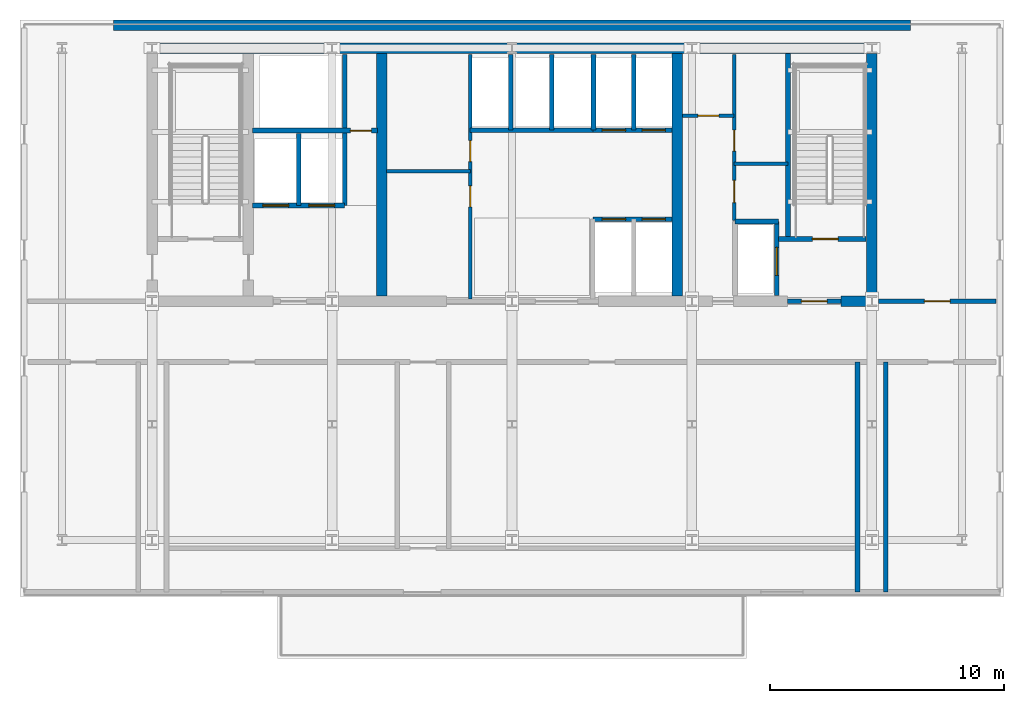
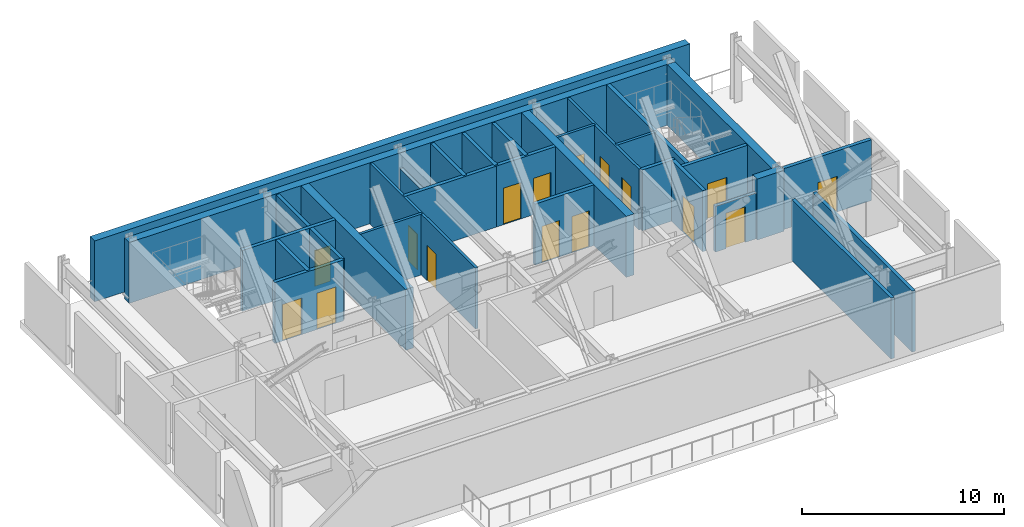
# One storey, part 3 of 8: 30 walls, 16 doors, 16 openings.
"""IFC4 building model written with IfcOpenShell, lengths in metres."""

from ifc_helpers import new_model, si_unit, direction, frame, frame_2d, origin, place, context, subcontext, project, spatial, rectangle, extrude, material, layer, layer_set, type_object, element, fill, save


model = new_model("IFC4")

# Units and contexts
model_context = context("Model", 3, precision=1e-05, world=origin(), true_north=direction((0.0, 1.0)))
body_context = subcontext(model_context, "Body", "Model", "MODEL_VIEW")
ifc_project = project(units=[si_unit("LENGTHUNIT", "METRE"), si_unit("AREAUNIT", "SQUARE_METRE"), si_unit("VOLUMEUNIT", "CUBIC_METRE"), si_unit("PLANEANGLEUNIT", "RADIAN"), si_unit("MASSUNIT", "GRAM", prefix="KILO")], contexts=[model_context])

# Site, building, storey
site_placement = place(None, origin())
site = spatial("IfcSite", under=ifc_project, at=site_placement, CompositionType="ELEMENT")
building_placement = place(site_placement, origin())
building = spatial("IfcBuilding", under=site, at=building_placement, Name="Yelkora Congress Tower", CompositionType="ELEMENT")
storey_placement = place(building_placement, frame((0.0, 0.0, 137.300048828125)))
storey = spatial("IfcBuildingStorey", under=building, at=storey_placement, Name="L37", CompositionType="ELEMENT", Elevation=137.300048828125)

# Walls
ifc_material_1 = material(Name="Concrete C60/75", Category="concrete")
ifc_layer_1 = layer(ifc_material_1, 0.449951171875)
ifc_layer_set_1 = layer_set([ifc_layer_1], Name="Concrete C60/75")
wall_type_1 = type_object("IfcWallType", Name="WALL-CORE-EXT-450", PredefinedType="SHEAR", material=ifc_layer_set_1)
wall_1_placement = place(storey_placement, frame((21.39990234375, 47.175048828125, 0.0), z_axis=(0.0, 0.0, 1.0), x_axis=(1.0, 0.0, 0.0)))
element("IfcWall", 1, at=wall_1_placement, inside=storey, type_object=wall_type_1, Name="L37 Exterior North Core Shear Wall", PredefinedType="SHEAR", context=body_context, shape_type="SweptSolid", body=[
    extrude(rectangle(XDim=34.0, YDim=0.449951171875, at=frame_2d((17.0, 0.0))), origin(), (0.0, 0.0, 1.0), 3.679931640625),
])
ifc_material_2 = material(Name="Concrete C50/60", Category="concrete")
ifc_layer_2 = layer(ifc_material_2, 0.219970703125)
ifc_layer_set_2 = layer_set([ifc_layer_2], Name="Concrete C50/60")
wall_type_2 = type_object("IfcWallType", Name="WALL-CORE-INT-220", PredefinedType="SHEAR", material=ifc_layer_set_2)
wall_2_placement = place(storey_placement, frame((50.179931640625, 38.050048828125, 0.0), z_axis=(0.0, 0.0, 1.0), x_axis=(0.0, 1.0, 0.0)))
element("IfcWall", 2, at=wall_2_placement, inside=storey, type_object=wall_type_2, Name="L37 ST02 West Stair Shear Wall", PredefinedType="SHEAR", context=body_context, shape_type="SweptSolid", body=[
    extrude(rectangle(XDim=7.925048828125, YDim=0.219970703125, at=frame_2d((3.96240234375, 0.0))), origin(), (0.0, 0.0, 1.0), 3.679931640625),
])
ifc_layer_3 = layer(ifc_material_1, 0.449951171875)
ifc_layer_set_3 = layer_set([ifc_layer_3], Name="Concrete C60/75")
wall_type_3 = type_object("IfcWallType", Name="WALL-CORE-INT-450", PredefinedType="SHEAR", material=ifc_layer_set_3)
wall_3_placement = place(storey_placement, frame((22.81494140625, 46.199951171875, 0.0), z_axis=(0.0, 0.0, 1.0), x_axis=(1.0, 0.0, 0.0)))
element("IfcWall", 3, at=wall_3_placement, inside=storey, type_object=wall_type_3, Name="L37 Rear Core North Shear Wall", PredefinedType="SHEAR", context=body_context, shape_type="SweptSolid", body=[
    extrude(rectangle(XDim=31.170166015625, YDim=0.449951171875, at=frame_2d((15.5849609375, 0.0))), origin(), (0.0, 0.0, 1.0), 3.679931640625),
])
wall_4_placement = place(storey_placement, frame((52.449951171875, 35.39990234375, 0.0), z_axis=(0.0, 0.0, 1.0), x_axis=(1.0, 0.0, 0.0)))
element("IfcWall", 4, at=wall_4_placement, inside=storey, type_object=wall_type_3, Name="L37 Rear Core South-East Shear Wall B", PredefinedType="SHEAR", context=body_context, shape_type="SweptSolid", body=[
    extrude(rectangle(XDim=1.53515625, YDim=0.449951171875, at=frame_2d((0.767578125, 0.0))), origin(), (0.0, 0.0, 1.0), 3.679931640625),
])
for number, where, z_axis, x_axis, name in (
    (5, (32.85009765625, 35.625, 0.0), (0.0, 0.0, 1.0), (0.0, 1.0, 0.0), "L37 Rear Core Cross Shear Wall C2"),
    (6, (45.449951171875, 35.625, 0.0), (0.0, 0.0, 1.0), (0.0, 1.0, 0.0), "L37 Rear Core Cross Shear Wall C3"),
    (7, (53.760009765625, 35.625, 0.0), (0.0, 0.0, 1.0), (0.0, 1.0, 0.0), "L37 Rear Core Cross Shear Wall E"),
):
    element("IfcWall", number, at=place(storey_placement, frame(where, z_axis=z_axis, x_axis=x_axis)), inside=storey, type_object=wall_type_3, Name=name, PredefinedType="SHEAR", context=body_context, shape_type="SweptSolid", body=[
        extrude(rectangle(XDim=10.35009765625, YDim=0.449951171875, at=frame_2d((5.175048828125, 0.0))), origin(), (0.0, 0.0, 1.0), 3.679931640625),
    ])

# Wall, opening, door
ifc_material_3 = material(Name="Acoustic metal-stud gypsum partition", Category="gypsum")
ifc_layer_4 = layer(ifc_material_3, 0.14990234375)
ifc_layer_set_4 = layer_set([ifc_layer_4], Name="Acoustic metal-stud gypsum partition")
wall_type_4 = type_object("IfcWallType", Name="WALL-INT-150-NR", PredefinedType="PARTITIONING", material=ifc_layer_set_4)
wall_5_placement = place(storey_placement, frame((45.679931640625, 43.31005859375, 0.0), z_axis=(0.0, 0.0, 1.0), x_axis=(1.0, 0.0, 0.0)))
wall_5 = element("IfcWall", 8, at=wall_5_placement, inside=storey, type_object=wall_type_4, Name="L37 Partition Wall 24", PredefinedType="PARTITIONING", context=body_context, shape_type="SweptSolid", body=[
    extrude(rectangle(XDim=2.199951171875, YDim=0.14990234375, at=frame_2d((1.10009765625, 0.0))), origin(), (0.0, 0.0, 1.0), 3.679931640625),
])
opening_1_placement = place(wall_5_placement, frame((0.64990234375, 0.0, 0.0)))
opening_1 = element("IfcOpeningElement", 9, at=opening_1_placement, cuts=wall_5, Name="Opening DR-090N", PredefinedType="OPENING", context=body_context, shape_type="SweptSolid", body=[
    extrude(rectangle(XDim=0.89990234375, YDim=2.14990234375, at=frame_2d((0.449951171875, 1.074951171875))), frame((0.0, 0.0849609375, 0.0), z_axis=(0.0, -1.0, 0.0), x_axis=(1.0, 0.0, 0.0)), (0.0, 0.0, 1.0), 0.169921875),
])
ifc_material_4 = material(Name="Moisture-resistant laminate door leaf", Category="wood")
door_type_1 = type_object("IfcDoorType", Name="DOOR-INT-900", OperationType="NOTDEFINED", PredefinedType="DOOR", material=ifc_material_4)
door_1_placement = place(opening_1_placement, origin())
door_1 = element("IfcDoor", 10, at=door_1_placement, inside=storey, type_object=door_type_1, Name="L37 Male WC Door", OperationType="SINGLE_SWING_RIGHT", OverallHeight=2.14990234375, OverallWidth=0.89990234375, PredefinedType="DOOR", context=body_context, shape_type="SweptSolid", body=[
    extrude(rectangle(XDim=0.89990234375, YDim=2.14990234375, at=frame_2d((0.449951171875, 1.074951171875))), frame((0.0, 0.02490234375, 0.0), z_axis=(0.0, -1.0, 0.0), x_axis=(1.0, 0.0, 0.0)), (0.0, 0.0, 1.0), 0.050048828125),
])
fill(opening_1, door_1)

# Wall
wall_6_placement = place(storey_placement, frame((47.8798828125, 41.260009765625, 0.0), z_axis=(0.0, 0.0, 1.0), x_axis=(1.0, 0.0, 0.0)))
element("IfcWall", 11, at=wall_6_placement, inside=storey, type_object=wall_type_4, Name="L37 Partition Wall 25", PredefinedType="PARTITIONING", context=body_context, shape_type="SweptSolid", body=[
    extrude(rectangle(XDim=2.300048828125, YDim=0.14990234375, at=frame_2d((1.14990234375, 0.0))), origin(), (0.0, 0.0, 1.0), 3.679931640625),
])

# Wall, openings, doors
wall_7_placement = place(storey_placement, frame((47.8798828125, 38.85009765625, 0.0), z_axis=(0.0, 0.0, 1.0), x_axis=(0.0, 1.0, 0.0)))
wall_7 = element("IfcWall", 12, at=wall_7_placement, inside=storey, type_object=wall_type_4, Name="L37 Partition Wall 26", PredefinedType="PARTITIONING", context=body_context, shape_type="SweptSolid", body=[
    extrude(rectangle(XDim=7.06982421875, YDim=0.14990234375, at=frame_2d((3.534912109375, 0.0))), origin(), (0.0, 0.0, 1.0), 3.679931640625),
])
opening_2_placement = place(wall_7_placement, frame((0.75, 0.0, 0.0)))
opening_2 = element("IfcOpeningElement", 13, at=opening_2_placement, cuts=wall_7, Name="Opening DR-095N", PredefinedType="OPENING", context=body_context, shape_type="SweptSolid", body=[
    extrude(rectangle(XDim=0.949951171875, YDim=2.14990234375, at=frame_2d((0.47509765625, 1.074951171875))), frame((0.0, 0.0849609375, 0.0), z_axis=(0.0, -1.0, 0.0), x_axis=(1.0, 0.0, 0.0)), (0.0, 0.0, 1.0), 0.169921875),
])
opening_3_placement = place(wall_7_placement, frame((2.949951171875, 0.0, 0.0)))
opening_3 = element("IfcOpeningElement", 14, at=opening_3_placement, cuts=wall_7, Name="Opening DR-090N", PredefinedType="OPENING", context=body_context, shape_type="SweptSolid", body=[
    extrude(rectangle(XDim=0.89990234375, YDim=2.14990234375, at=frame_2d((0.449951171875, 1.074951171875))), frame((0.0, 0.0849609375, 0.0), z_axis=(0.0, -1.0, 0.0), x_axis=(1.0, 0.0, 0.0)), (0.0, 0.0, 1.0), 0.169921875),
])
door_2_placement = place(opening_3_placement, origin())
door_2 = element("IfcDoor", 15, at=door_2_placement, inside=storey, type_object=door_type_1, Name="L37 Female WC Door", OperationType="SINGLE_SWING_RIGHT", OverallHeight=2.14990234375, OverallWidth=0.89990234375, PredefinedType="DOOR", context=body_context, shape_type="SweptSolid", body=[
    extrude(rectangle(XDim=0.89990234375, YDim=2.14990234375, at=frame_2d((0.449951171875, 1.074951171875))), frame((0.0, 0.02490234375, 0.0), z_axis=(0.0, -1.0, 0.0), x_axis=(1.0, 0.0, 0.0)), (0.0, 0.0, 1.0), 0.050048828125),
])
fill(opening_3, door_2)
ifc_material_5 = material(Name="Acoustic laminated timber office door", Category="wood")
door_type_2 = type_object("IfcDoorType", Name="DOOR-INT-950", OperationType="NOTDEFINED", PredefinedType="DOOR", material=ifc_material_5)
door_3_placement = place(opening_2_placement, origin())
door_3 = element("IfcDoor", 16, at=door_3_placement, inside=storey, type_object=door_type_2, Name="L37 Accessible WC Door", OperationType="SINGLE_SWING_LEFT", OverallHeight=2.14990234375, OverallWidth=0.949951171875, PredefinedType="DOOR", context=body_context, shape_type="SweptSolid", body=[
    extrude(rectangle(XDim=0.949951171875, YDim=2.14990234375, at=frame_2d((0.47509765625, 1.074951171875))), frame((0.0, 0.02490234375, 0.0), z_axis=(0.0, -1.0, 0.0), x_axis=(1.0, 0.0, 0.0)), (0.0, 0.0, 1.0), 0.050048828125),
])
fill(opening_2, door_3)

# Wall
ifc_material_6 = material(Name="Twin-stud fire-rated gypsum partition", Category="gypsum")
ifc_layer_5 = layer(ifc_material_6, 0.14990234375)
ifc_layer_set_5 = layer_set([ifc_layer_5], Name="Twin-stud fire-rated gypsum partition")
wall_type_5 = type_object("IfcWallType", Name="WALL-INT-150-R60", PredefinedType="PARTITIONING", material=ifc_layer_set_5)
wall_8_placement = place(storey_placement, frame((33.050048828125, 40.949951171875, 0.0), z_axis=(0.0, 0.0, 1.0), x_axis=(1.0, 0.0, 0.0)))
element("IfcWall", 17, at=wall_8_placement, inside=storey, type_object=wall_type_5, Name="L37 Partition Wall 11", PredefinedType="PARTITIONING", context=body_context, shape_type="SweptSolid", body=[
    extrude(rectangle(XDim=3.570068359375, YDim=0.14990234375, at=frame_2d((1.78515625, 0.0))), origin(), (0.0, 0.0, 1.0), 3.679931640625),
])

# Wall, openings, doors
wall_9_placement = place(storey_placement, frame((36.6201171875, 35.5, 0.0), z_axis=(0.0, 0.0, 1.0), x_axis=(0.0, 1.0, 0.0)))
wall_9 = element("IfcWall", 18, at=wall_9_placement, inside=storey, type_object=wall_type_5, Name="L37 Partition Wall 12", PredefinedType="PARTITIONING", context=body_context, shape_type="SweptSolid", body=[
    extrude(rectangle(XDim=10.419921875, YDim=0.14990234375, at=frame_2d((5.2099609375, 0.0))), origin(), (0.0, 0.0, 1.0), 3.679931640625),
])
opening_4_placement = place(wall_9_placement, frame((3.919921875, 0.0, 0.0)))
opening_4 = element("IfcOpeningElement", 19, at=opening_4_placement, cuts=wall_9, Name="Opening DR-090F6", PredefinedType="OPENING", context=body_context, shape_type="SweptSolid", body=[
    extrude(rectangle(XDim=0.89990234375, YDim=2.14990234375, at=frame_2d((0.449951171875, 1.074951171875))), frame((0.0, 0.0849609375, 0.0), z_axis=(0.0, -1.0, 0.0), x_axis=(1.0, 0.0, 0.0)), (0.0, 0.0, 1.0), 0.169921875),
])
opening_5_placement = place(wall_9_placement, frame((5.85009765625, 0.0, 0.0)))
opening_5 = element("IfcOpeningElement", 20, at=opening_5_placement, cuts=wall_9, Name="Opening DR-090F6", PredefinedType="OPENING", context=body_context, shape_type="SweptSolid", body=[
    extrude(rectangle(XDim=0.89990234375, YDim=2.14990234375, at=frame_2d((0.449951171875, 1.074951171875))), frame((0.0, 0.0849609375, 0.0), z_axis=(0.0, -1.0, 0.0), x_axis=(1.0, 0.0, 0.0)), (0.0, 0.0, 1.0), 0.169921875),
])
ifc_material_7 = material(Name="Painted steel riser fire door leaf", Category="steel")
door_type_3 = type_object("IfcDoorType", Name="DOOR-FD60-900", OperationType="NOTDEFINED", PredefinedType="DOOR", material=ifc_material_7)
door_4_placement = place(opening_4_placement, origin())
door_4 = element("IfcDoor", 21, at=door_4_placement, inside=storey, type_object=door_type_3, Name="L37 Telecom Store Door", OperationType="SINGLE_SWING_LEFT", OverallHeight=2.14990234375, OverallWidth=0.89990234375, PredefinedType="DOOR", context=body_context, shape_type="SweptSolid", body=[
    extrude(rectangle(XDim=0.89990234375, YDim=2.14990234375, at=frame_2d((0.449951171875, 1.074951171875))), frame((0.0, 0.02490234375, 0.0), z_axis=(0.0, -1.0, 0.0), x_axis=(1.0, 0.0, 0.0)), (0.0, 0.0, 1.0), 0.050048828125),
])
fill(opening_4, door_4)
door_5_placement = place(opening_5_placement, origin())
door_5 = element("IfcDoor", 22, at=door_5_placement, inside=storey, type_object=door_type_3, Name="L37 Archive Store Door", OperationType="SINGLE_SWING_RIGHT", OverallHeight=2.14990234375, OverallWidth=0.89990234375, PredefinedType="DOOR", context=body_context, shape_type="SweptSolid", body=[
    extrude(rectangle(XDim=0.89990234375, YDim=2.14990234375, at=frame_2d((0.449951171875, 1.074951171875))), frame((0.0, 0.02490234375, 0.0), z_axis=(0.0, -1.0, 0.0), x_axis=(1.0, 0.0, 0.0)), (0.0, 0.0, 1.0), 0.050048828125),
])
fill(opening_5, door_5)

ifc_material_8 = material(Name="Autoclaved aerated concrete blockwork", Category="masonry")
ifc_layer_6 = layer(ifc_material_8, 0.199951171875)
ifc_layer_set_6 = layer_set([ifc_layer_6], Name="Autoclaved aerated concrete blockwork")
wall_type_6 = type_object("IfcWallType", Name="WALL-INT-200-R120", PredefinedType="PARTITIONING", material=ifc_layer_set_6)
wall_10_placement = place(storey_placement, frame((27.320068359375, 39.47998046875, 0.0), z_axis=(0.0, 0.0, 1.0), x_axis=(1.0, 0.0, 0.0)))
wall_10 = element("IfcWall", 23, at=wall_10_placement, inside=storey, type_object=wall_type_6, Name="L37 Firefighting Lift Front Wall", PredefinedType="PARTITIONING", context=body_context, shape_type="SweptSolid", body=[
    extrude(rectangle(XDim=3.93994140625, YDim=0.199951171875, at=frame_2d((1.969970703125, 0.0))), origin(), (0.0, 0.0, 1.0), 3.679931640625),
])
opening_6_placement = place(wall_10_placement, frame((0.449951171875, 0.0, 0.0)))
opening_6 = element("IfcOpeningElement", 24, at=opening_6_placement, cuts=wall_10, Name="Opening LD-FF11", PredefinedType="OPENING", context=body_context, shape_type="SweptSolid", body=[
    extrude(rectangle(XDim=1.10009765625, YDim=2.199951171875, at=frame_2d((0.550048828125, 1.10009765625))), frame((0.0, 0.10986328125, 0.0), z_axis=(0.0, -1.0, 0.0), x_axis=(1.0, 0.0, 0.0)), (0.0, 0.0, 1.0), 0.219970703125),
])
opening_7_placement = place(wall_10_placement, frame((2.409912109375, 0.0, 0.0)))
opening_7 = element("IfcOpeningElement", 25, at=opening_7_placement, cuts=wall_10, Name="Opening LD-FF11", PredefinedType="OPENING", context=body_context, shape_type="SweptSolid", body=[
    extrude(rectangle(XDim=1.10009765625, YDim=2.199951171875, at=frame_2d((0.550048828125, 1.10009765625))), frame((0.0, 0.10986328125, 0.0), z_axis=(0.0, -1.0, 0.0), x_axis=(1.0, 0.0, 0.0)), (0.0, 0.0, 1.0), 0.219970703125),
])
ifc_material_9 = material(Name="Brushed stainless steel 316L landing door", Category="steel")
door_type_4 = type_object("IfcDoorType", Name="DOOR-LIFT-FF-1100", OperationType="DOUBLE_DOOR_SLIDING", PredefinedType="DOOR", material=ifc_material_9)
door_6_placement = place(opening_6_placement, origin())
door_6 = element("IfcDoor", 26, at=door_6_placement, inside=storey, type_object=door_type_4, Name="Lift Landing Door LF-FF1 L37", OperationType="DOUBLE_DOOR_SLIDING", OverallHeight=2.199951171875, OverallWidth=1.10009765625, PredefinedType="DOOR", context=body_context, shape_type="SweptSolid", body=[
    extrude(rectangle(XDim=1.10009765625, YDim=2.199951171875, at=frame_2d((0.550048828125, 1.10009765625))), frame((0.0, 0.02490234375, 0.0), z_axis=(0.0, -1.0, 0.0), x_axis=(1.0, 0.0, 0.0)), (0.0, 0.0, 1.0), 0.050048828125),
])
fill(opening_6, door_6)
door_7_placement = place(opening_7_placement, origin())
door_7 = element("IfcDoor", 27, at=door_7_placement, inside=storey, type_object=door_type_4, Name="Lift Landing Door LF-FF2 L37", OperationType="DOUBLE_DOOR_SLIDING", OverallHeight=2.199951171875, OverallWidth=1.10009765625, PredefinedType="DOOR", context=body_context, shape_type="SweptSolid", body=[
    extrude(rectangle(XDim=1.10009765625, YDim=2.199951171875, at=frame_2d((0.550048828125, 1.10009765625))), frame((0.0, 0.02490234375, 0.0), z_axis=(0.0, -1.0, 0.0), x_axis=(1.0, 0.0, 0.0)), (0.0, 0.0, 1.0), 0.050048828125),
])
fill(opening_7, door_7)

# Walls
wall_11_placement = place(storey_placement, frame((29.300048828125, 39.47998046875, 0.0), z_axis=(0.0, 0.0, 1.0), x_axis=(0.0, 1.0, 0.0)))
element("IfcWall", 28, at=wall_11_placement, inside=storey, type_object=wall_type_6, Name="L37 Partition Wall 4", PredefinedType="PARTITIONING", context=body_context, shape_type="SweptSolid", body=[
    extrude(rectangle(XDim=3.070068359375, YDim=0.199951171875, at=frame_2d((1.53515625, 0.0))), origin(), (0.0, 0.0, 1.0), 3.679931640625),
])
wall_12_placement = place(storey_placement, frame((31.260009765625, 39.47998046875, 0.0), z_axis=(0.0, 0.0, 1.0), x_axis=(0.0, 1.0, 0.0)))
element("IfcWall", 29, at=wall_12_placement, inside=storey, type_object=wall_type_6, Name="L37 Partition Wall 5", PredefinedType="PARTITIONING", context=body_context, shape_type="SweptSolid", body=[
    extrude(rectangle(XDim=6.43994140625, YDim=0.199951171875, at=frame_2d((3.219970703125, 0.0))), origin(), (0.0, 0.0, 1.0), 3.679931640625),
])

# Wall, opening, door
wall_13_placement = place(storey_placement, frame((27.320068359375, 42.679931640625, 0.0), z_axis=(0.0, 0.0, 1.0), x_axis=(1.0, 0.0, 0.0)))
wall_13 = element("IfcWall", 30, at=wall_13_placement, inside=storey, type_object=wall_type_6, Name="L37 Smoke Riser South Wall", PredefinedType="PARTITIONING", context=body_context, shape_type="SweptSolid", body=[
    extrude(rectangle(XDim=5.329833984375, YDim=0.199951171875, at=frame_2d((2.6650390625, 0.0))), origin(), (0.0, 0.0, 1.0), 3.679931640625),
])
opening_8_placement = place(wall_13_placement, frame((4.179931640625, 0.0, 0.0)))
opening_8 = element("IfcOpeningElement", 31, at=opening_8_placement, cuts=wall_13, Name="Opening DR-090F6", PredefinedType="OPENING", context=body_context, shape_type="SweptSolid", body=[
    extrude(rectangle(XDim=0.89990234375, YDim=2.14990234375, at=frame_2d((0.449951171875, 1.074951171875))), frame((0.0, 0.10986328125, 0.0), z_axis=(0.0, -1.0, 0.0), x_axis=(1.0, 0.0, 0.0)), (0.0, 0.0, 1.0), 0.219970703125),
])
door_8_placement = place(opening_8_placement, origin())
door_8 = element("IfcDoor", 32, at=door_8_placement, inside=storey, type_object=door_type_3, Name="L37 Riser Access Door", OperationType="SINGLE_SWING_LEFT", OverallHeight=2.14990234375, OverallWidth=0.89990234375, PredefinedType="DOOR", context=body_context, shape_type="SweptSolid", body=[
    extrude(rectangle(XDim=0.89990234375, YDim=2.14990234375, at=frame_2d((0.449951171875, 1.074951171875))), frame((0.0, 0.02490234375, 0.0), z_axis=(0.0, -1.0, 0.0), x_axis=(1.0, 0.0, 0.0)), (0.0, 0.0, 1.0), 0.050048828125),
])
fill(opening_8, door_8)

# Walls
wall_14_placement = place(storey_placement, frame((36.60009765625, 42.699951171875, 0.0), z_axis=(0.0, 0.0, 1.0), x_axis=(1.0, 0.0, 0.0)))
element("IfcWall", 33, at=wall_14_placement, inside=storey, type_object=wall_type_6, Name="L37 Partition Wall 8", PredefinedType="PARTITIONING", context=body_context, shape_type="SweptSolid", body=[
    extrude(rectangle(XDim=5.25, YDim=0.199951171875, at=frame_2d((2.625, 0.0))), origin(), (0.0, 0.0, 1.0), 3.679931640625),
])
wall_15_placement = place(storey_placement, frame((38.35009765625, 42.699951171875, 0.0), z_axis=(0.0, 0.0, 1.0), x_axis=(0.0, 1.0, 0.0)))
element("IfcWall", 34, at=wall_15_placement, inside=storey, type_object=wall_type_6, Name="L37 Partition Wall 9", PredefinedType="PARTITIONING", context=body_context, shape_type="SweptSolid", body=[
    extrude(rectangle(XDim=3.219970703125, YDim=0.199951171875, at=frame_2d((1.60986328125, 0.0))), origin(), (0.0, 0.0, 1.0), 2.764892578125),
])
wall_16_placement = place(storey_placement, frame((40.10009765625, 42.699951171875, 0.0), z_axis=(0.0, 0.0, 1.0), x_axis=(0.0, 1.0, 0.0)))
element("IfcWall", 35, at=wall_16_placement, inside=storey, type_object=wall_type_6, Name="L37 Partition Wall 10", PredefinedType="PARTITIONING", context=body_context, shape_type="SweptSolid", body=[
    extrude(rectangle(XDim=3.219970703125, YDim=0.199951171875, at=frame_2d((1.60986328125, 0.0))), origin(), (0.0, 0.0, 1.0), 3.679931640625),
])

# Wall, openings, doors
wall_17_placement = place(storey_placement, frame((41.85009765625, 38.89990234375, 0.0), z_axis=(0.0, 0.0, 1.0), x_axis=(1.0, 0.0, 0.0)))
wall_17 = element("IfcWall", 36, at=wall_17_placement, inside=storey, type_object=wall_type_6, Name="L37 Partition Wall 13", PredefinedType="PARTITIONING", context=body_context, shape_type="SweptSolid", body=[
    extrude(rectangle(XDim=3.369873046875, YDim=0.199951171875, at=frame_2d((1.68505859375, 0.0))), origin(), (0.0, 0.0, 1.0), 3.679931640625),
])
opening_9_placement = place(wall_17_placement, frame((0.39990234375, 0.0, 0.0)))
opening_9 = element("IfcOpeningElement", 37, at=opening_9_placement, cuts=wall_17, Name="Opening LD-PS10", PredefinedType="OPENING", context=body_context, shape_type="SweptSolid", body=[
    extrude(rectangle(XDim=1.0, YDim=2.199951171875, at=frame_2d((0.5, 1.10009765625))), frame((0.0, 0.10986328125, 0.0), z_axis=(0.0, -1.0, 0.0), x_axis=(1.0, 0.0, 0.0)), (0.0, 0.0, 1.0), 0.219970703125),
])
opening_10_placement = place(wall_17_placement, frame((2.10009765625, 0.0, 0.0)))
opening_10 = element("IfcOpeningElement", 38, at=opening_10_placement, cuts=wall_17, Name="Opening LD-PS10", PredefinedType="OPENING", context=body_context, shape_type="SweptSolid", body=[
    extrude(rectangle(XDim=1.0, YDim=2.199951171875, at=frame_2d((0.5, 1.10009765625))), frame((0.0, 0.10986328125, 0.0), z_axis=(0.0, -1.0, 0.0), x_axis=(1.0, 0.0, 0.0)), (0.0, 0.0, 1.0), 0.219970703125),
])
ifc_material_10 = material(Name="Champagne stainless steel landing door", Category="steel")
door_type_5 = type_object("IfcDoorType", Name="DOOR-LIFT-PAS-1000", OperationType="DOUBLE_DOOR_SLIDING", PredefinedType="DOOR", material=ifc_material_10)
door_9_placement = place(opening_9_placement, origin())
door_9 = element("IfcDoor", 39, at=door_9_placement, inside=storey, type_object=door_type_5, Name="Lift Landing Door LF-P5 L37", OperationType="DOUBLE_DOOR_SLIDING", OverallHeight=2.199951171875, OverallWidth=1.0, PredefinedType="DOOR", context=body_context, shape_type="SweptSolid", body=[
    extrude(rectangle(XDim=1.0, YDim=2.199951171875, at=frame_2d((0.5, 1.10009765625))), frame((0.0, 0.02490234375, 0.0), z_axis=(0.0, -1.0, 0.0), x_axis=(1.0, 0.0, 0.0)), (0.0, 0.0, 1.0), 0.050048828125),
])
fill(opening_9, door_9)
door_10_placement = place(opening_10_placement, origin())
door_10 = element("IfcDoor", 40, at=door_10_placement, inside=storey, type_object=door_type_5, Name="Lift Landing Door LF-P6 L37", OperationType="DOUBLE_DOOR_SLIDING", OverallHeight=2.199951171875, OverallWidth=1.0, PredefinedType="DOOR", context=body_context, shape_type="SweptSolid", body=[
    extrude(rectangle(XDim=1.0, YDim=2.199951171875, at=frame_2d((0.5, 1.10009765625))), frame((0.0, 0.02490234375, 0.0), z_axis=(0.0, -1.0, 0.0), x_axis=(1.0, 0.0, 0.0)), (0.0, 0.0, 1.0), 0.050048828125),
])
fill(opening_10, door_10)

wall_18_placement = place(storey_placement, frame((41.85009765625, 42.699951171875, 0.0), z_axis=(0.0, 0.0, 1.0), x_axis=(1.0, 0.0, 0.0)))
wall_18 = element("IfcWall", 41, at=wall_18_placement, inside=storey, type_object=wall_type_6, Name="L37 Partition Wall 14", PredefinedType="PARTITIONING", context=body_context, shape_type="SweptSolid", body=[
    extrude(rectangle(XDim=3.369873046875, YDim=0.199951171875, at=frame_2d((1.68505859375, 0.0))), origin(), (0.0, 0.0, 1.0), 3.679931640625),
])
opening_11_placement = place(wall_18_placement, frame((0.39990234375, 0.0, 0.0)))
opening_11 = element("IfcOpeningElement", 42, at=opening_11_placement, cuts=wall_18, Name="Opening LD-PS10", PredefinedType="OPENING", context=body_context, shape_type="SweptSolid", body=[
    extrude(rectangle(XDim=1.0, YDim=2.199951171875, at=frame_2d((0.5, 1.10009765625))), frame((0.0, 0.10986328125, 0.0), z_axis=(0.0, -1.0, 0.0), x_axis=(1.0, 0.0, 0.0)), (0.0, 0.0, 1.0), 0.219970703125),
])
opening_12_placement = place(wall_18_placement, frame((2.10009765625, 0.0, 0.0)))
opening_12 = element("IfcOpeningElement", 43, at=opening_12_placement, cuts=wall_18, Name="Opening LD-PS10", PredefinedType="OPENING", context=body_context, shape_type="SweptSolid", body=[
    extrude(rectangle(XDim=1.0, YDim=2.199951171875, at=frame_2d((0.5, 1.10009765625))), frame((0.0, 0.10986328125, 0.0), z_axis=(0.0, -1.0, 0.0), x_axis=(1.0, 0.0, 0.0)), (0.0, 0.0, 1.0), 0.219970703125),
])
door_11_placement = place(opening_11_placement, origin())
door_11 = element("IfcDoor", 44, at=door_11_placement, inside=storey, type_object=door_type_5, Name="Lift Landing Door LF-P7 L37", OperationType="DOUBLE_DOOR_SLIDING", OverallHeight=2.199951171875, OverallWidth=1.0, PredefinedType="DOOR", context=body_context, shape_type="SweptSolid", body=[
    extrude(rectangle(XDim=1.0, YDim=2.199951171875, at=frame_2d((0.5, 1.10009765625))), frame((0.0, 0.02490234375, 0.0), z_axis=(0.0, -1.0, 0.0), x_axis=(1.0, 0.0, 0.0)), (0.0, 0.0, 1.0), 0.050048828125),
])
fill(opening_11, door_11)
door_12_placement = place(opening_12_placement, origin())
door_12 = element("IfcDoor", 45, at=door_12_placement, inside=storey, type_object=door_type_5, Name="Lift Landing Door LF-P8 L37", OperationType="DOUBLE_DOOR_SLIDING", OverallHeight=2.199951171875, OverallWidth=1.0, PredefinedType="DOOR", context=body_context, shape_type="SweptSolid", body=[
    extrude(rectangle(XDim=1.0, YDim=2.199951171875, at=frame_2d((0.5, 1.10009765625))), frame((0.0, 0.02490234375, 0.0), z_axis=(0.0, -1.0, 0.0), x_axis=(1.0, 0.0, 0.0)), (0.0, 0.0, 1.0), 0.050048828125),
])
fill(opening_12, door_12)

# Walls
for number, where, z_axis, x_axis, name in (
    (46, (43.60009765625, 42.699951171875, 0.0), (0.0, 0.0, 1.0), (0.0, 1.0, 0.0), "L37 Partition Wall 16"),
    (47, (41.8798828125, 42.699951171875, 0.0), (0.0, 0.0, 1.0), (0.0, 1.0, 0.0), "L37 Partition Wall 18"),
):
    element("IfcWall", number, at=place(storey_placement, frame(where, z_axis=z_axis, x_axis=x_axis)), inside=storey, type_object=wall_type_6, Name=name, PredefinedType="PARTITIONING", context=body_context, shape_type="SweptSolid", body=[
        extrude(rectangle(XDim=3.219970703125, YDim=0.199951171875, at=frame_2d((1.60986328125, 0.0))), origin(), (0.0, 0.0, 1.0), 3.679931640625),
    ])

# Wall, opening, door
wall_19_placement = place(storey_placement, frame((49.780029296875, 38.050048828125, 0.0), z_axis=(0.0, 0.0, 1.0), x_axis=(1.0, 0.0, 0.0)))
wall_19 = element("IfcWall", 48, at=wall_19_placement, inside=storey, type_object=wall_type_6, Name="L37 Stair ST-02 Enclosure Wall", PredefinedType="PARTITIONING", context=body_context, shape_type="SweptSolid", body=[
    extrude(rectangle(XDim=3.719970703125, YDim=0.199951171875, at=frame_2d((1.85986328125, 0.0))), origin(), (0.0, 0.0, 1.0), 3.679931640625),
])
opening_13_placement = place(wall_19_placement, frame((1.436279296875, 0.0, 0.0)))
opening_13 = element("IfcOpeningElement", 49, at=opening_13_placement, cuts=wall_19, Name="Opening DR-110F9", PredefinedType="OPENING", context=body_context, shape_type="SweptSolid", body=[
    extrude(rectangle(XDim=1.10009765625, YDim=2.14990234375, at=frame_2d((0.550048828125, 1.074951171875))), frame((0.0, 0.10986328125, 0.0), z_axis=(0.0, -1.0, 0.0), x_axis=(1.0, 0.0, 0.0)), (0.0, 0.0, 1.0), 0.219970703125),
])
ifc_material_11 = material(Name="Galvanised steel fire door leaf", Category="steel")
door_type_6 = type_object("IfcDoorType", Name="DOOR-FD90-1100", OperationType="NOTDEFINED", PredefinedType="DOOR", material=ifc_material_11)
door_13_placement = place(opening_13_placement, origin())
door_13 = element("IfcDoor", 50, at=door_13_placement, inside=storey, type_object=door_type_6, Name="L37 Stair ST-02 Entry Door", OperationType="SINGLE_SWING_LEFT", OverallHeight=2.14990234375, OverallWidth=1.10009765625, PredefinedType="DOOR", context=body_context, shape_type="SweptSolid", body=[
    extrude(rectangle(XDim=1.10009765625, YDim=2.14990234375, at=frame_2d((0.550048828125, 1.074951171875))), frame((0.0, 0.02490234375, 0.0), z_axis=(0.0, -1.0, 0.0), x_axis=(1.0, 0.0, 0.0)), (0.0, 0.0, 1.0), 0.050048828125),
])
fill(opening_13, door_13)

wall_20_placement = place(storey_placement, frame((50.14990234375, 35.39990234375, 0.0), z_axis=(0.0, 0.0, 1.0), x_axis=(1.0, 0.0, 0.0)))
wall_20 = element("IfcWall", 51, at=wall_20_placement, inside=storey, type_object=wall_type_6, Name="L37 Partition Wall 20", PredefinedType="PARTITIONING", context=body_context, shape_type="SweptSolid", body=[
    extrude(rectangle(XDim=2.300048828125, YDim=0.199951171875, at=frame_2d((1.14990234375, 0.0))), origin(), (0.0, 0.0, 1.0), 2.764892578125),
])
opening_14_placement = place(wall_20_placement, frame((0.60009765625, 0.0, 0.0)))
opening_14 = element("IfcOpeningElement", 52, at=opening_14_placement, cuts=wall_20, Name="Opening DR-110F9", PredefinedType="OPENING", context=body_context, shape_type="SweptSolid", body=[
    extrude(rectangle(XDim=1.10009765625, YDim=2.14990234375, at=frame_2d((0.550048828125, 1.074951171875))), frame((0.0, 0.10986328125, 0.0), z_axis=(0.0, -1.0, 0.0), x_axis=(1.0, 0.0, 0.0)), (0.0, 0.0, 1.0), 0.219970703125),
])
door_14_placement = place(opening_14_placement, origin())
door_14 = element("IfcDoor", 53, at=door_14_placement, inside=storey, type_object=door_type_6, Name="L37 East Stair Lobby Door", OperationType="SINGLE_SWING_RIGHT", OverallHeight=2.14990234375, OverallWidth=1.10009765625, PredefinedType="DOOR", context=body_context, shape_type="SweptSolid", body=[
    extrude(rectangle(XDim=1.10009765625, YDim=2.14990234375, at=frame_2d((0.550048828125, 1.074951171875))), frame((0.0, 0.02490234375, 0.0), z_axis=(0.0, -1.0, 0.0), x_axis=(1.0, 0.0, 0.0)), (0.0, 0.0, 1.0), 0.050048828125),
])
fill(opening_14, door_14)

wall_21_placement = place(storey_placement, frame((49.699951171875, 35.64990234375, 0.0), z_axis=(0.0, 0.0, 1.0), x_axis=(0.0, 1.0, 0.0)))
wall_21 = element("IfcWall", 54, at=wall_21_placement, inside=storey, type_object=wall_type_6, Name="L37 Partition Wall 21", PredefinedType="PARTITIONING", context=body_context, shape_type="SweptSolid", body=[
    extrude(rectangle(XDim=3.150146484375, YDim=0.199951171875, at=frame_2d((1.5751953125, 0.0))), origin(), (0.0, 0.0, 1.0), 3.679931640625),
])
opening_15_placement = place(wall_21_placement, frame((0.85009765625, 0.0, 0.0)))
opening_15 = element("IfcOpeningElement", 55, at=opening_15_placement, cuts=wall_21, Name="Opening LD-SV12", PredefinedType="OPENING", context=body_context, shape_type="SweptSolid", body=[
    extrude(rectangle(XDim=1.199951171875, YDim=2.199951171875, at=frame_2d((0.60009765625, 1.10009765625))), frame((0.0, 0.10986328125, 0.0), z_axis=(0.0, -1.0, 0.0), x_axis=(1.0, 0.0, 0.0)), (0.0, 0.0, 1.0), 0.219970703125),
])
ifc_material_12 = material(Name="Heavy-duty stainless steel landing door", Category="steel")
door_type_7 = type_object("IfcDoorType", Name="DOOR-LIFT-SRV-1200", OperationType="DOUBLE_DOOR_SLIDING", PredefinedType="DOOR", material=ifc_material_12)
door_15_placement = place(opening_15_placement, origin())
door_15 = element("IfcDoor", 56, at=door_15_placement, inside=storey, type_object=door_type_7, Name="Service Lift Landing Door LF-SV1 L37", OperationType="DOUBLE_DOOR_SLIDING", OverallHeight=2.199951171875, OverallWidth=1.199951171875, PredefinedType="DOOR", context=body_context, shape_type="SweptSolid", body=[
    extrude(rectangle(XDim=1.199951171875, YDim=2.199951171875, at=frame_2d((0.60009765625, 1.10009765625))), frame((0.0, 0.02490234375, 0.0), z_axis=(0.0, -1.0, 0.0), x_axis=(1.0, 0.0, 0.0)), (0.0, 0.0, 1.0), 0.050048828125),
])
fill(opening_15, door_15)

# Wall
wall_22_placement = place(storey_placement, frame((47.919921875, 38.800048828125, 0.0), z_axis=(0.0, 0.0, 1.0), x_axis=(1.0, 0.0, 0.0)))
element("IfcWall", 57, at=wall_22_placement, inside=storey, type_object=wall_type_6, Name="L37 Partition Wall 23", PredefinedType="PARTITIONING", context=body_context, shape_type="SweptSolid", body=[
    extrude(rectangle(XDim=1.860107421875, YDim=0.199951171875, at=frame_2d((0.93017578125, 0.0))), origin(), (0.0, 0.0, 1.0), 3.679931640625),
])

# Wall, opening, door
wall_23_placement = place(storey_placement, frame((54.050048828125, 35.39990234375, 0.0), z_axis=(0.0, 0.0, 1.0), x_axis=(1.0, 0.0, 0.0)))
wall_23 = element("IfcWall", 58, at=wall_23_placement, inside=storey, type_object=wall_type_6, Name="L37 Partition Wall 28", PredefinedType="PARTITIONING", context=body_context, shape_type="SweptSolid", body=[
    extrude(rectangle(XDim=5.0, YDim=0.199951171875, at=frame_2d((2.5, 0.0))), origin(), (0.0, 0.0, 1.0), 3.679931640625),
])
opening_16_placement = place(wall_23_placement, frame((1.949951171875, 0.0, 0.0)))
opening_16 = element("IfcOpeningElement", 59, at=opening_16_placement, cuts=wall_23, Name="Opening DR-110F9", PredefinedType="OPENING", context=body_context, shape_type="SweptSolid", body=[
    extrude(rectangle(XDim=1.10009765625, YDim=2.14990234375, at=frame_2d((0.550048828125, 1.074951171875))), frame((0.0, 0.10986328125, 0.0), z_axis=(0.0, -1.0, 0.0), x_axis=(1.0, 0.0, 0.0)), (0.0, 0.0, 1.0), 0.219970703125),
])
door_16_placement = place(opening_16_placement, origin())
door_16 = element("IfcDoor", 60, at=door_16_placement, inside=storey, type_object=door_type_6, Name="L37 Interior Door 19", OperationType="SINGLE_SWING_LEFT", OverallHeight=2.14990234375, OverallWidth=1.10009765625, PredefinedType="DOOR", context=body_context, shape_type="SweptSolid", body=[
    extrude(rectangle(XDim=1.10009765625, YDim=2.14990234375, at=frame_2d((0.550048828125, 1.074951171875))), frame((0.0, 0.02490234375, 0.0), z_axis=(0.0, -1.0, 0.0), x_axis=(1.0, 0.0, 0.0)), (0.0, 0.0, 1.0), 0.050048828125),
])
fill(opening_16, door_16)

# Walls
for number, where, z_axis, x_axis, name in (
    (61, (53.14990234375, 22.97998046875, 0.0), (0.0, 0.0, 1.0), (0.0, 1.0, 0.0), "L37 Partition Wall 31"),
    (62, (54.35009765625, 22.97998046875, 0.0), (0.0, 0.0, 1.0), (0.0, 1.0, 0.0), "L37 Partition Wall 32"),
):
    element("IfcWall", number, at=place(storey_placement, frame(where, z_axis=z_axis, x_axis=x_axis)), inside=storey, type_object=wall_type_6, Name=name, PredefinedType="PARTITIONING", context=body_context, shape_type="SweptSolid", body=[
        extrude(rectangle(XDim=9.820068359375, YDim=0.199951171875, at=frame_2d((4.91015625, 0.0))), origin(), (0.0, 0.0, 1.0), 3.679931640625),
    ])

save(model, "model.ifc")
